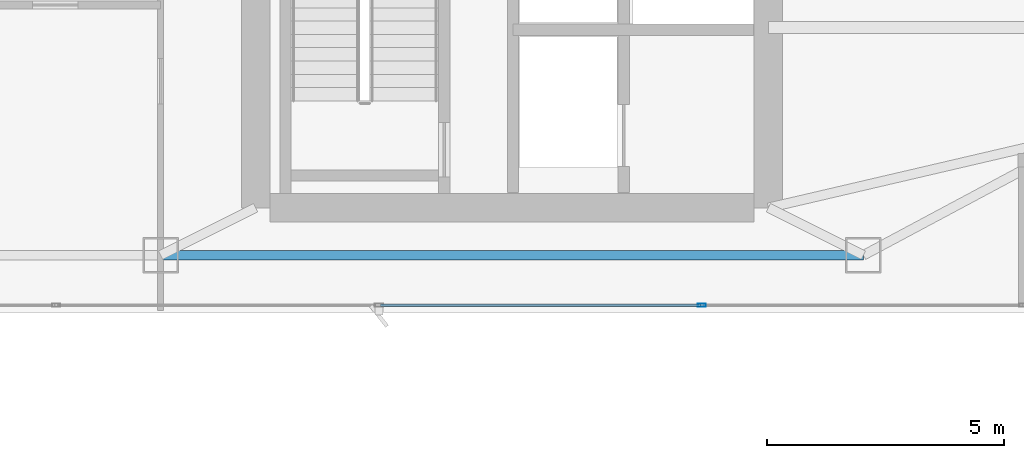
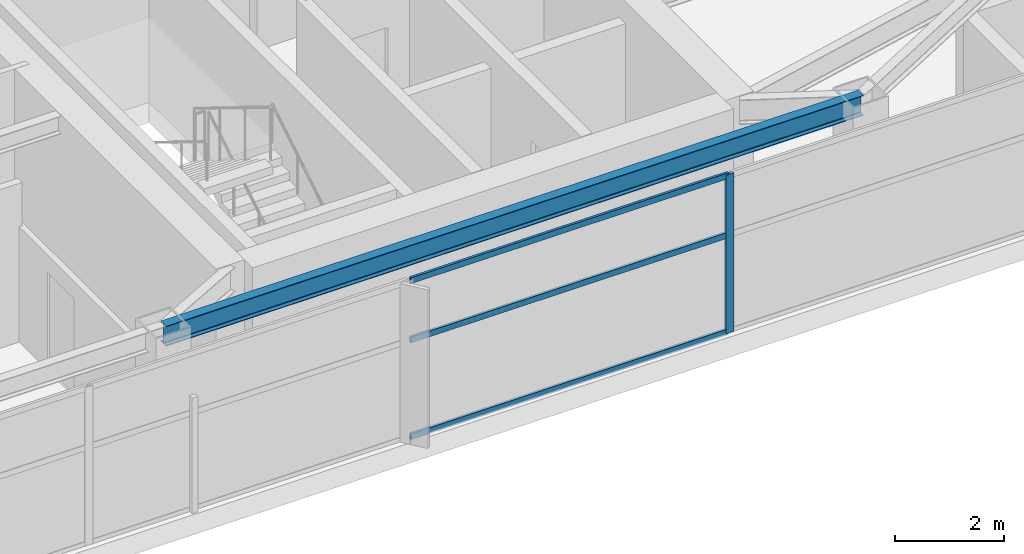
# One storey, part 8 of 27: 4 members, 1 beam, 1 element without a shape of its own.
"""IFC4 building model written with IfcOpenShell, lengths in metres."""

from ifc_helpers import new_model, si_unit, direction, frame, origin, origin_2d, place, context, subcontext, project, spatial, hollow_rectangle, i_section, extrude, material, layer, layer_set, material_profile, profile_set, type_object, element, aggregate, save


model = new_model("IFC4")

# Units and contexts
model_context = context("Model", 3, precision=1e-05, world=origin(), true_north=direction((0.0, 1.0)))
body_context = subcontext(model_context, "Body", "Model", "MODEL_VIEW")
ifc_project = project(units=[si_unit("LENGTHUNIT", "METRE"), si_unit("AREAUNIT", "SQUARE_METRE"), si_unit("VOLUMEUNIT", "CUBIC_METRE"), si_unit("PLANEANGLEUNIT", "RADIAN"), si_unit("MASSUNIT", "GRAM", prefix="KILO")], contexts=[model_context])

# Site, building, storey
site_placement = place(None, origin())
site = spatial("IfcSite", under=ifc_project, at=site_placement, CompositionType="ELEMENT")
building_placement = place(site_placement, origin())
building = spatial("IfcBuilding", under=site, at=building_placement, Name="Calvorn Quay Hotel", CompositionType="ELEMENT")
storey_placement = place(building_placement, frame((0.0, 0.0, 287.300048828125)))
storey = spatial("IfcBuildingStorey", under=building, at=storey_placement, Name="L71", CompositionType="ELEMENT", Elevation=287.300048828125)

# Beam
ifc_material_1 = material(Name="Steel Q355B", Category="steel")
ifc_material_profile_1 = material_profile(ifc_material_1, i_section(OverallWidth=0.199951171875, OverallDepth=0.449951171875, WebThickness=0.009033203125, FlangeThickness=0.013916015625, FilletRadius=0.01611328125, at=origin_2d()), Name="HN450x200x9x14")
ifc_profile_set_1 = profile_set([ifc_material_profile_1], Name="Steel Q355B")
beam_type = type_object("IfcBeamType", Name="BM-SPANDREL-Z3", PredefinedType="SPANDREL", material=ifc_profile_set_1)
beam_placement = place(storey_placement, frame((19.60009765625, 3.60009765625, 3.31494140625), z_axis=(1.0, 0.0, 0.0), x_axis=(0.0, 1.0, 0.0)))
element("IfcBeam", 1, at=beam_placement, inside=storey, type_object=beam_type, Name="Beam BSP-L71-S3", PredefinedType="SPANDREL", context=body_context, shape_type="SweptSolid", body=[
    extrude(i_section(OverallWidth=0.199951171875, OverallDepth=0.449951171875, WebThickness=0.009033203125, FlangeThickness=0.013916015625, FilletRadius=0.01611328125, at=origin_2d()), origin(), (0.0, 0.0, 1.0), 14.7998046875),
])

# Curtain wall, members
ifc_material_2 = material(Name="Champagne Bronze Anodised Aluminium and Low-E Glass", Category="aluminium")
ifc_layer = layer(ifc_material_2, 0.219970703125)
ifc_layer_set = layer_set([ifc_layer], Name="CW-SYS-Z4")
curtain_wall_type = type_object("IfcCurtainWallType", Name="CW-SYS-Z4", PredefinedType="NOTDEFINED", material=ifc_layer_set)
curtain_wall_placement = place(storey_placement, origin())
curtain_wall = element("IfcCurtainWall", 2, at=curtain_wall_placement, inside=storey, type_object=curtain_wall_type, Name="Tower South Waterfront Curtain Wall (L71)", PredefinedType="NOTDEFINED")
ifc_material_3 = material(Name="Champagne Bronze Anodised Aluminium 6063-T6", Category="aluminium")
ifc_material_profile_2 = material_profile(ifc_material_3, hollow_rectangle(XDim=0.06494140625, YDim=0.169921875, WallThickness=0.00341796875, at=origin_2d()), Name="ALU-M170x65x3.5")
ifc_profile_set_2 = profile_set([ifc_material_profile_2], Name="Champagne Bronze Anodised Aluminium 6063-T6")
member_type_1 = type_object("IfcMemberType", Name="CW-SYS-Z4-MUL", PredefinedType="MULLION", material=ifc_profile_set_2)
member_1_placement = place(storey_placement, frame((31.0, 2.550048828125, 0.0), z_axis=(0.0, 0.0, 1.0), x_axis=(0.0, 1.0, 0.0)))
member_1 = element("IfcMember", 3, at=member_1_placement, type_object=member_type_1, Name="CW-L71-S mullion 4", PredefinedType="MULLION", context=body_context, shape_type="SweptSolid", body=[
    extrude(hollow_rectangle(XDim=0.06494140625, YDim=0.169921875, WallThickness=0.00341796875, at=origin_2d()), origin(), (0.0, 0.0, 1.0), 3.56005859375),
])
ifc_material_4 = material(Name="Champagne Bronze Anodised Aluminium 6063-T6", Category="aluminium")
ifc_material_profile_3 = material_profile(ifc_material_4, hollow_rectangle(XDim=0.054931640625, YDim=0.1298828125, WallThickness=0.003173828125, at=origin_2d()), Name="ALU-T130x55x3.2")
ifc_profile_set_3 = profile_set([ifc_material_profile_3], Name="Champagne Bronze Anodised Aluminium 6063-T6")
member_type_2 = type_object("IfcMemberType", Name="CW-SYS-Z4-TRN", PredefinedType="USERDEFINED", material=ifc_profile_set_3)
member_2_placement = place(storey_placement, frame((24.22998046875, 2.550048828125, 0.030029296875), z_axis=(1.0, 0.0, 0.0), x_axis=(0.0, 1.0, 0.0)))
member_2 = element("IfcMember", 4, at=member_2_placement, type_object=member_type_2, Name="CW-L71-S transom 3.1", ObjectType="TRANSOM", PredefinedType="USERDEFINED", context=body_context, shape_type="SweptSolid", body=[
    extrude(hollow_rectangle(XDim=0.054931640625, YDim=0.1298828125, WallThickness=0.003173828125, at=origin_2d()), origin(), (0.0, 0.0, 1.0), 6.739990234375),
])
member_3_placement = place(storey_placement, frame((24.22998046875, 2.550048828125, 2.199951171875), z_axis=(1.0, 0.0, 0.0), x_axis=(0.0, 1.0, 0.0)))
member_3 = element("IfcMember", 5, at=member_3_placement, type_object=member_type_2, Name="CW-L71-S transom 3.2", ObjectType="TRANSOM", PredefinedType="USERDEFINED", context=body_context, shape_type="SweptSolid", body=[
    extrude(hollow_rectangle(XDim=0.054931640625, YDim=0.1298828125, WallThickness=0.003173828125, at=origin_2d()), origin(), (0.0, 0.0, 1.0), 6.739990234375),
])
member_4_placement = place(storey_placement, frame((24.22998046875, 2.550048828125, 3.530029296875), z_axis=(1.0, 0.0, 0.0), x_axis=(0.0, 1.0, 0.0)))
member_4 = element("IfcMember", 6, at=member_4_placement, type_object=member_type_2, Name="CW-L71-S transom 3.3", ObjectType="TRANSOM", PredefinedType="USERDEFINED", context=body_context, shape_type="SweptSolid", body=[
    extrude(hollow_rectangle(XDim=0.054931640625, YDim=0.1298828125, WallThickness=0.003173828125, at=origin_2d()), origin(), (0.0, 0.0, 1.0), 6.739990234375),
])
aggregate(curtain_wall, [member_1, member_2, member_3, member_4])

save(model, "model.ifc")
